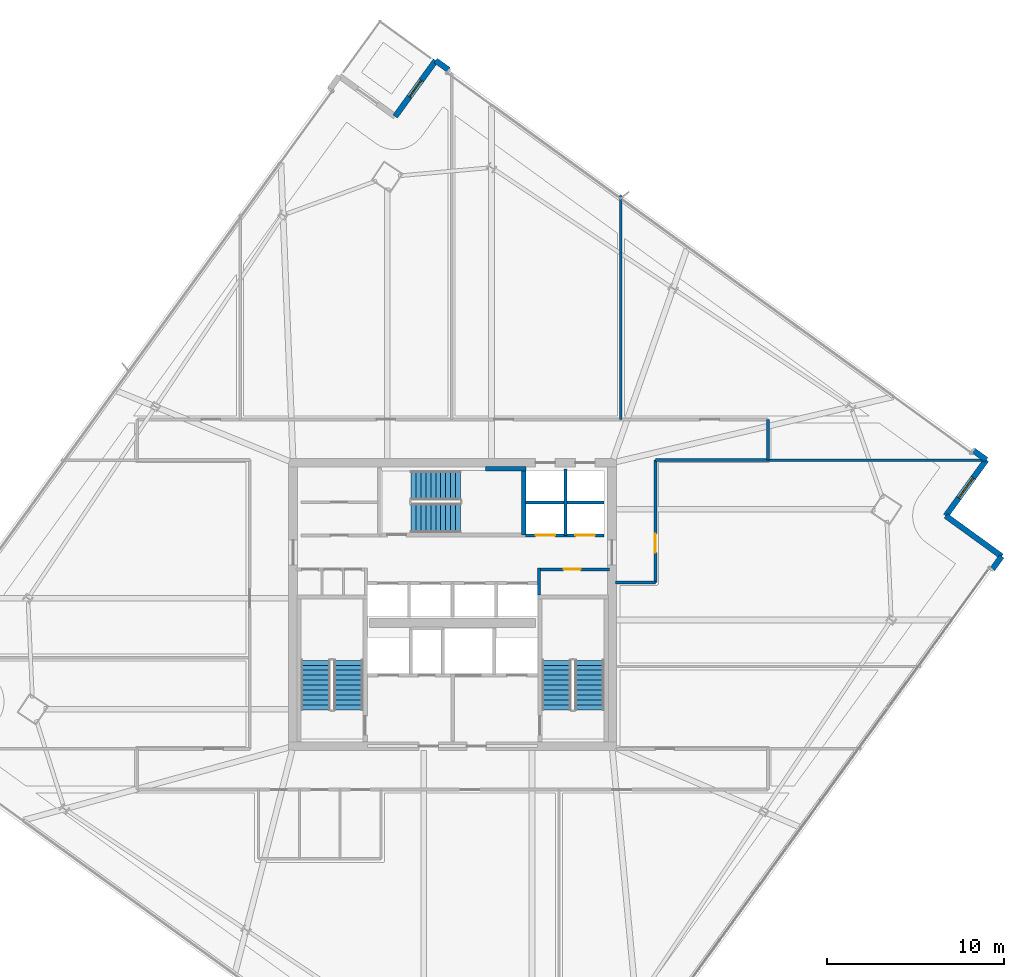
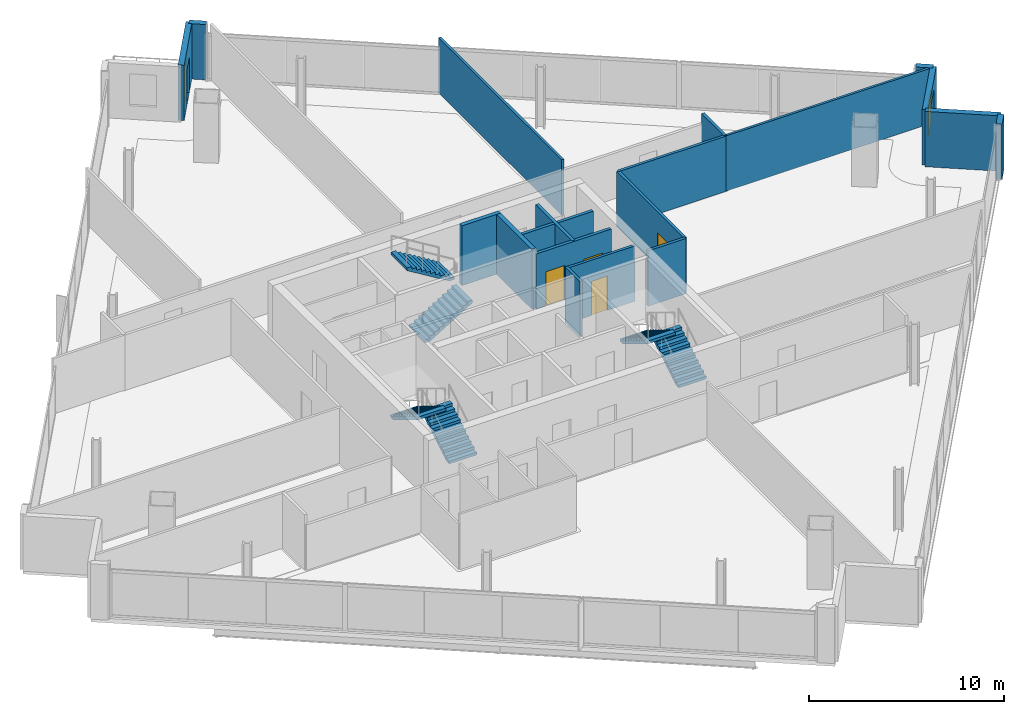
# One storey, part 24 of 29: 19 walls, 6 stair flights, 5 doors, 1 window, 6 openings, 3 elements without a shape of their own.
"""IFC4 building model written with IfcOpenShell, lengths in metres."""

import ifcopenshell
import ifcopenshell.guid

model = None  # the IFC model being written
_history = None  # IfcOwnerHistory: only IFC2X3 demands one
_inside = {}  # id of a spatial element -> (the spatial element, [elements in it])
_under = {}  # id of a project, library or spatial element -> (it, [spatial elements below it])
_declared = {}  # id of a project -> (the project, [libraries it declares])
_typed = {}  # id of a type object -> (the type object, [elements of that type])
_made_of = {}  # id of a material, layer set ... -> (it, [elements and type objects made of it])


def new_model(schema):
    """Start an empty IFC model of exactly this schema.

    Asked for "IFC4X3", IfcOpenShell would pick the latest addendum, in which some entities
    have other attributes; the version numbers below select the first issue.
    IFC2X3 requires an IfcOwnerHistory on every rooted entity: one is made here for all.
    """
    global model, _history
    if schema == "IFC4X3":
        model = ifcopenshell.file(schema_version=(4, 3, 0, 0))
    else:
        model = ifcopenshell.file(schema=schema)
    _inside.clear()
    _under.clear()
    _declared.clear()
    _typed.clear()
    _made_of.clear()
    _history = None
    if model.schema == "IFC2X3":
        org = make("IfcOrganization", Name="unknown")
        user = make(
            "IfcPersonAndOrganization",
            ThePerson=make("IfcPerson", FamilyName="unknown"),
            TheOrganization=org,
        )
        app = make(
            "IfcApplication",
            ApplicationDeveloper=org,
            Version="unknown",
            ApplicationFullName="unknown",
            ApplicationIdentifier="unknown",
        )
        _history = make(
            "IfcOwnerHistory",
            OwningUser=user,
            OwningApplication=app,
            ChangeAction="ADDED",
            CreationDate=0,
        )
    return model


def make(cls, **values):
    """One entity of the class cls with the attributes given. An attribute that is None is left unset."""
    return model.create_entity(
        cls, **{name: value for name, value in values.items() if value is not None}
    )


def rooted(cls, **values):
    """An entity with a GlobalId (a new one), such as an element, a storey or a relation."""
    return make(cls, GlobalId=ifcopenshell.guid.new(), OwnerHistory=_history, **values)


def si_unit(unit_type, name, prefix=None):
    """IfcSIUnit, for example si_unit("LENGTHUNIT", "METRE", prefix="MILLI")."""
    return make("IfcSIUnit", UnitType=unit_type, Prefix=prefix, Name=name)


def assignment(units):
    """IfcUnitAssignment: the units of a project."""
    return None if units is None else make("IfcUnitAssignment", Units=units)


def point(xyz):
    """IfcCartesianPoint."""
    return None if xyz is None else make("IfcCartesianPoint", Coordinates=xyz)


def direction(xyz):
    """IfcDirection."""
    return None if xyz is None else make("IfcDirection", DirectionRatios=xyz)


def frame(location, z_axis=None, x_axis=None):
    """IfcAxis2Placement3D, a coordinate frame: its origin and axes. An axis left out is left unset."""
    return make(
        "IfcAxis2Placement3D",
        Location=point(location),
        Axis=direction(z_axis),
        RefDirection=direction(x_axis),
    )


def frame_2d(location, x_axis=None):
    """IfcAxis2Placement2D, a coordinate frame in the plane: its origin and x axis."""
    return make(
        "IfcAxis2Placement2D", Location=point(location), RefDirection=direction(x_axis)
    )


def origin():
    """The frame at (0, 0, 0) with its axes left unset."""
    return frame((0.0, 0.0, 0.0))


def place(relative_to, where):
    """IfcLocalPlacement: puts the frame where relative to a parent placement (None: the world)."""
    return make(
        "IfcLocalPlacement", PlacementRelTo=relative_to, RelativePlacement=where
    )


def context(
    kind, dimensions, precision=None, world=None, true_north=None, identifier=None
):
    """IfcGeometricRepresentationContext, for example the 3D "Model" context."""
    return make(
        "IfcGeometricRepresentationContext",
        ContextIdentifier=identifier,
        ContextType=kind,
        CoordinateSpaceDimension=dimensions,
        Precision=precision,
        WorldCoordinateSystem=world,
        TrueNorth=true_north,
    )


def subcontext(parent, identifier, kind, view, scale=None):
    """IfcGeometricRepresentationSubContext, for example "Body" below "Model"."""
    return make(
        "IfcGeometricRepresentationSubContext",
        ContextIdentifier=identifier,
        ContextType=kind,
        ParentContext=parent,
        TargetScale=scale,
        TargetView=view,
    )


def project(units=None, contexts=None):
    """IfcProject with its units and contexts."""
    return rooted(
        "IfcProject",
        Name="project",
        RepresentationContexts=contexts,
        UnitsInContext=assignment(units),
    )


def spatial(cls, under=None, at=None, **own):
    """A site, building, storey or space (cls), placed at a placement, below another one or the project."""
    s = rooted(cls, ObjectPlacement=at, **own)
    if under is not None:
        _under.setdefault(under.id(), (under, []))[1].append(s)
    return s


def polyline(points):
    """IfcPolyline through the points."""
    return make("IfcPolyline", Points=[point(p) for p in points])


def profile(cls, at=None, kind="AREA", **sizes):
    """A parametric profile (cls). Its sizes go by their IFC names, for example OverallWidth=200.0."""
    return make(cls, ProfileType=kind, Position=at, **sizes)


def rectangle(**sizes):
    """IfcRectangleProfileDef."""
    return profile("IfcRectangleProfileDef", **sizes)


def outline(outer, holes=None, kind="AREA"):
    """IfcArbitraryClosedProfileDef: a profile drawn as a closed curve; with holes, ...WithVoids."""
    if holes is None:
        return make("IfcArbitraryClosedProfileDef", ProfileType=kind, OuterCurve=outer)
    return make(
        "IfcArbitraryProfileDefWithVoids",
        ProfileType=kind,
        OuterCurve=outer,
        InnerCurves=holes,
    )


def extrude(swept, where, along, depth):
    """IfcExtrudedAreaSolid: the profile swept, set in the frame where, extruded along a direction by depth."""
    return make(
        "IfcExtrudedAreaSolid",
        SweptArea=swept,
        Position=where,
        ExtrudedDirection=direction(along),
        Depth=depth,
    )


def shape(context_of_items, identifier, shape_type, items):
    """IfcShapeRepresentation: the items that make up one representation, for example the "Body"."""
    return make(
        "IfcShapeRepresentation",
        ContextOfItems=context_of_items,
        RepresentationIdentifier=identifier,
        RepresentationType=shape_type,
        Items=items,
    )


def material(Name=None, Category=None):
    """IfcMaterial."""
    return make("IfcMaterial", Name=Name, Category=Category)


def layer(
    of_material, thickness, ventilated=None, Name=None, Category=None, Priority=None
):
    """IfcMaterialLayer: one layer of a wall or slab, of a material (None: an air gap)."""
    return make(
        "IfcMaterialLayer",
        Material=of_material,
        LayerThickness=thickness,
        IsVentilated=ventilated,
        Name=Name,
        Category=Category,
        Priority=Priority,
    )


def layer_set(layers, Name=None):
    """IfcMaterialLayerSet."""
    return make("IfcMaterialLayerSet", MaterialLayers=layers, LayerSetName=Name)


def made_of(thing, what):
    """Note that an element or type object is made of a material, layer set ...; save() writes the relation."""
    if what is not None:
        _made_of.setdefault(what.id(), (what, []))[1].append(thing)
    return thing


def type_object(cls, material=None, **own):
    """A type object (cls), such as IfcWallType, which elements share."""
    return made_of(rooted(cls, **own), material)


def element(
    cls,
    number,
    at=None,
    inside=None,
    cuts=None,
    type_object=None,
    material=None,
    context=None,
    identifier="Body",
    shape_type=None,
    held_by="IfcProductDefinitionShape",
    body=None,
    shapes=None,
    **own,
):
    """One element of the class cls, such as IfcWall. Its Tag is "e" and its number.

    at: its placement. inside: the storey or other place that contains it. cuts: it is an
    opening in that element (IfcRelVoidsElement). A single representation is given by context,
    identifier, shape_type and body (its items); several are given by shapes. held_by: the class
    of the entity that holds the representations. save() writes the other relations.
    """
    e = rooted(cls, Tag="e%d" % number, ObjectPlacement=at, **own)
    if body is not None:
        shapes = [shape(context, identifier, shape_type, body)]
    if shapes is not None:
        e.Representation = make(held_by, Representations=shapes)
    if inside is not None:
        _inside.setdefault(inside.id(), (inside, []))[1].append(e)
    if cuts is not None:
        rooted(
            "IfcRelVoidsElement", RelatingBuildingElement=cuts, RelatedOpeningElement=e
        )
    if type_object is not None:
        _typed.setdefault(type_object.id(), (type_object, []))[1].append(e)
    return made_of(e, material)


def fill(opening, filler):
    """IfcRelFillsElement: the door or window that sits in an opening."""
    return rooted(
        "IfcRelFillsElement",
        RelatingOpeningElement=opening,
        RelatedBuildingElement=filler,
    )


def aggregate(whole, parts):
    """IfcRelAggregates: a whole, such as a stair, and the parts it consists of."""
    return rooted("IfcRelAggregates", RelatingObject=whole, RelatedObjects=parts)


def save(model, path):
    """Write the relations noted so far, then the file.

    IfcRelAggregates (storeys below a building ...), IfcRelContainedInSpatialStructure (elements
    in a storey), IfcRelDefinesByType, IfcRelAssociatesMaterial and IfcRelDeclares: one each for
    every whole, place, type object, material and project.
    """
    for whole, parts in _under.values():
        aggregate(whole, parts)
    for where, things in _inside.values():
        rooted(
            "IfcRelContainedInSpatialStructure",
            RelatedElements=things,
            RelatingStructure=where,
        )
    for kind, things in _typed.values():
        rooted("IfcRelDefinesByType", RelatedObjects=things, RelatingType=kind)
    for what, things in _made_of.values():
        rooted("IfcRelAssociatesMaterial", RelatedObjects=things, RelatingMaterial=what)
    for by, libraries in _declared.values():
        rooted("IfcRelDeclares", RelatingContext=by, RelatedDefinitions=libraries)
    model.write(path)


model = new_model("IFC4")

# Units and contexts
model_context = context("Model", 3, precision=1e-05, world=origin(), true_north=direction((0.0, 1.0)))
body_context = subcontext(model_context, "Body", "Model", "MODEL_VIEW")
ifc_project = project(units=[si_unit("LENGTHUNIT", "METRE"), si_unit("AREAUNIT", "SQUARE_METRE"), si_unit("VOLUMEUNIT", "CUBIC_METRE"), si_unit("PLANEANGLEUNIT", "RADIAN"), si_unit("MASSUNIT", "GRAM", prefix="KILO")], contexts=[model_context])

# Site, building, storey
site_placement = place(None, origin())
site = spatial("IfcSite", under=ifc_project, at=site_placement, CompositionType="ELEMENT")
building_placement = place(site_placement, origin())
building = spatial("IfcBuilding", under=site, at=building_placement, Name="Haldenkirk Collegiate Tower", CompositionType="ELEMENT")
storey_placement = place(building_placement, frame((0.0, 0.0, 209.699951171875)))
storey = spatial("IfcBuildingStorey", under=building, at=storey_placement, Name="L52", CompositionType="ELEMENT", Elevation=209.699951171875)

# Walls
ifc_material_1 = material(Name="Precast concrete f'c 40 MPa", Category="concrete")
ifc_layer_1 = layer(ifc_material_1, 0.320068359375)
ifc_layer_set_1 = layer_set([ifc_layer_1], Name="Precast concrete f'c 40 MPa")
wall_type_1 = type_object("IfcWallType", Name="WL-EXT-TWR-320", PredefinedType="STANDARD", material=ifc_layer_set_1)
wall_1_placement = place(storey_placement, frame((67.00048828125, 28.718017578125, 0.0), z_axis=(0.0, 0.0, 1.0), x_axis=(-0.587252006748, -0.809404151565, 0.0)))
element("IfcWall", 1, at=wall_1_placement, inside=storey, type_object=wall_type_1, Name="L52 precast corner pier SL", PredefinedType="STANDARD", context=body_context, shape_type="SweptSolid", body=[
    extrude(rectangle(XDim=0.900146484375, YDim=0.320068359375, at=frame_2d((0.4501953125, 0.0))), origin(), (0.0, 0.0, 1.0), 3.469970703125),
])
wall_2_placement = place(storey_placement, frame((63.84326171875, 31.0078125, 0.0), z_axis=(0.0, 0.0, 1.0), x_axis=(0.809512265893, -0.587102964878, 0.0)))
element("IfcWall", 2, at=wall_2_placement, inside=storey, type_object=wall_type_1, Name="L52 bronze precast notch wall 02", PredefinedType="STANDARD", context=body_context, shape_type="SweptSolid", body=[
    extrude(rectangle(XDim=3.900146484375, YDim=0.320068359375, at=frame_2d((1.9501953125, 0.0))), origin(), (0.0, 0.0, 1.0), 3.469970703125),
])

# Wall, opening, window
wall_3_placement = place(storey_placement, frame((66.1328125, 34.164794921875, 0.0), z_axis=(0.0, 0.0, 1.0), x_axis=(-0.587091693571, -0.809520440347, 0.0)))
wall_3 = element("IfcWall", 3, at=wall_3_placement, inside=storey, type_object=wall_type_1, Name="L52 bronze precast notch wall 03", PredefinedType="STANDARD", context=body_context, shape_type="SweptSolid", body=[
    extrude(rectangle(XDim=3.89990234375, YDim=0.320068359375, at=frame_2d((1.949951171875, 0.0))), origin(), (0.0, 0.0, 1.0), 3.469970703125),
])
opening_1_placement = place(wall_3_placement, frame((1.25, 0.0, 0.85009765625)))
opening_1 = element("IfcOpeningElement", 4, at=opening_1_placement, cuts=wall_3, Name="Opening W-06", PredefinedType="OPENING", context=body_context, shape_type="SweptSolid", body=[
    extrude(rectangle(XDim=1.39990234375, YDim=2.0, at=frame_2d((0.699951171875, 1.0))), frame((0.0, 0.169921875, 0.0), z_axis=(0.0, -1.0, 0.0), x_axis=(1.0, 0.0, 0.0)), (0.0, 0.0, 1.0), 0.340087890625),
])
ifc_material_2 = material(Name="Low-E argon triple insulating glass", Category="glass")
ifc_layer_2 = layer(ifc_material_2, 0.090087890625)
ifc_layer_set_2 = layer_set([ifc_layer_2], Name="Low-E argon triple insulating glass")
window_type = type_object("IfcWindowType", Name="WN-Z4-1400X2000", PartitioningType="SINGLE_PANEL", PredefinedType="WINDOW", material=ifc_layer_set_2)
window_placement = place(opening_1_placement, origin())
window = element("IfcWindow", 5, at=window_placement, inside=storey, type_object=window_type, Name="L52 precast-frame academic window 2", OverallHeight=2.0, OverallWidth=1.39990234375, PartitioningType="SINGLE_PANEL", PredefinedType="WINDOW", context=body_context, shape_type="SweptSolid", body=[
    extrude(rectangle(XDim=1.39990234375, YDim=2.0, at=frame_2d((0.699951171875, 1.0))), frame((0.0, 0.030029296875, 0.0), z_axis=(0.0, -1.0, 0.0), x_axis=(1.0, 0.0, 0.0)), (0.0, 0.0, 1.0), 0.06005859375),
])
fill(opening_1, window)

# Walls
for number, where, z_axis, x_axis, name in (
    (6, (35.046875, 56.708740234375, 0.0), (0.0, 0.0, 1.0), (0.80953308335, -0.587074260177, 0.0), "L52 precast corner pier EL"),
    (7, (65.404296875, 34.693115234375, 0.0), (0.0, 0.0, 1.0), (0.80953308335, -0.587074260177, 0.0), "L52 precast corner pier ER"),
):
    element("IfcWall", number, at=place(storey_placement, frame(where, z_axis=z_axis, x_axis=x_axis)), inside=storey, type_object=wall_type_1, Name=name, PredefinedType="STANDARD", context=body_context, shape_type="SweptSolid", body=[
        extrude(rectangle(XDim=0.89990234375, YDim=0.320068359375, at=frame_2d((0.449951171875, 0.0))), origin(), (0.0, 0.0, 1.0), 3.469970703125),
    ])

# Wall, opening, door
wall_4_placement = place(storey_placement, frame((32.75732421875, 53.551513671875, 0.0), z_axis=(0.0, 0.0, 1.0), x_axis=(0.587061941772, 0.809542016527, 0.0)))
wall_4 = element("IfcWall", 8, at=wall_4_placement, inside=storey, type_object=wall_type_1, Name="L52 bronze precast notch wall 05", PredefinedType="STANDARD", context=body_context, shape_type="SweptSolid", body=[
    extrude(rectangle(XDim=3.89990234375, YDim=0.320068359375, at=frame_2d((1.949951171875, 0.0))), origin(), (0.0, 0.0, 1.0), 3.469970703125),
])
opening_2_placement = place(wall_4_placement, frame((1.375, 0.0, 0.0)))
opening_2 = element("IfcOpeningElement", 9, at=opening_2_placement, cuts=wall_4, Name="Opening D-ST11", PredefinedType="OPENING", context=body_context, shape_type="SweptSolid", body=[
    extrude(rectangle(XDim=1.14990234375, YDim=2.199951171875, at=frame_2d((0.574951171875, 1.10009765625))), frame((0.0, 0.169921875, 0.0), z_axis=(0.0, -1.0, 0.0), x_axis=(1.0, 0.0, 0.0)), (0.0, 0.0, 1.0), 0.340087890625),
])
ifc_material_3 = material(Name="Anodised architectural bronze aluminium", Category="aluminium")
ifc_layer_3 = layer(ifc_material_3, 0.080078125)
ifc_layer_set_3 = layer_set([ifc_layer_3], Name="Anodised architectural bronze aluminium")
door_type_1 = type_object("IfcDoorType", Name="DR-EXT-STER-1150", OperationType="NOTDEFINED", PredefinedType="DOOR", material=ifc_layer_set_3)
door_1_placement = place(opening_2_placement, origin())
door_1 = element("IfcDoor", 10, at=door_1_placement, inside=storey, type_object=door_type_1, Name="L52 spiralling terrace door", OperationType="SINGLE_SWING_LEFT", OverallHeight=2.199951171875, OverallWidth=1.14990234375, PredefinedType="DOOR", context=body_context, shape_type="SweptSolid", body=[
    extrude(rectangle(XDim=1.14990234375, YDim=2.199951171875, at=frame_2d((0.574951171875, 1.10009765625))), frame((0.0, 0.02490234375, 0.0), z_axis=(0.0, -1.0, 0.0), x_axis=(1.0, 0.0, 0.0)), (0.0, 0.0, 1.0), 0.050048828125),
])
fill(opening_2, door_1)

ifc_material_4 = material(Name="Acoustic fire-rated gypsum partition", Category="concrete")
ifc_layer_4 = layer(ifc_material_4, 0.159912109375)
ifc_layer_set_4 = layer_set([ifc_layer_4], Name="Acoustic fire-rated gypsum partition")
wall_type_2 = type_object("IfcWallType", Name="WL-INT-CORR-160", PredefinedType="PARTITIONING", material=ifc_layer_set_4)
wall_5_placement = place(storey_placement, frame((40.800048828125, 27.97998046875, 0.0), z_axis=(0.0, 0.0, 1.0), x_axis=(1.0, 0.0, 0.0)))
wall_5 = element("IfcWall", 11, at=wall_5_placement, inside=storey, type_object=wall_type_2, Name="L52 interior partition IW-L52-VCSE-N", PredefinedType="PARTITIONING", context=body_context, shape_type="SweptSolid", body=[
    extrude(rectangle(XDim=4.050048828125, YDim=0.159912109375, at=frame_2d((2.02490234375, 0.0))), origin(), (0.0, 0.0, 1.0), 3.469970703125),
])
opening_3_placement = place(wall_5_placement, frame((1.47509765625, 0.0, 0.0)))
opening_3 = element("IfcOpeningElement", 12, at=opening_3_placement, cuts=wall_5, Name="Opening D-10", PredefinedType="OPENING", context=body_context, shape_type="SweptSolid", body=[
    extrude(rectangle(XDim=0.949951171875, YDim=2.14990234375, at=frame_2d((0.47509765625, 1.074951171875))), frame((0.0, 0.08984375, 0.0), z_axis=(0.0, -1.0, 0.0), x_axis=(1.0, 0.0, 0.0)), (0.0, 0.0, 1.0), 0.179931640625),
])
ifc_material_5 = material(Name="Solid-core architectural oak fire door", Category="wood")
ifc_layer_5 = layer(ifc_material_5, 0.06005859375)
ifc_layer_set_5 = layer_set([ifc_layer_5], Name="Solid-core architectural oak fire door")
door_type_2 = type_object("IfcDoorType", Name="DR-INT-FD60-950", OperationType="NOTDEFINED", PredefinedType="DOOR", material=ifc_layer_set_5)
door_2_placement = place(opening_3_placement, origin())
door_2 = element("IfcDoor", 13, at=door_2_placement, inside=storey, type_object=door_type_2, Name="L52 core archive vault door", OperationType="SINGLE_SWING_RIGHT", OverallHeight=2.14990234375, OverallWidth=0.949951171875, PredefinedType="DOOR", context=body_context, shape_type="SweptSolid", body=[
    extrude(rectangle(XDim=0.949951171875, YDim=2.14990234375, at=frame_2d((0.47509765625, 1.074951171875))), frame((0.0, 0.02490234375, 0.0), z_axis=(0.0, -1.0, 0.0), x_axis=(1.0, 0.0, 0.0)), (0.0, 0.0, 1.0), 0.050048828125),
])
fill(opening_3, door_2)

# Walls
wall_6_placement = place(storey_placement, frame((40.8798828125, 26.5400390625, 0.0), z_axis=(0.0, 0.0, 1.0), x_axis=(0.0, 1.0, 0.0)))
element("IfcWall", 14, at=wall_6_placement, inside=storey, type_object=wall_type_2, Name="L52 interior partition IW-L52-VCSE-W", PredefinedType="PARTITIONING", context=body_context, shape_type="SweptSolid", body=[
    extrude(rectangle(XDim=1.510009765625, YDim=0.159912109375, at=frame_2d((0.7548828125, 0.0))), origin(), (0.0, 0.0, 1.0), 3.469970703125),
])
wall_7_placement = place(storey_placement, frame((47.449951171875, 34.14990234375, 0.0), z_axis=(0.0, 0.0, 1.0), x_axis=(1.0, 0.0, 0.0)))
element("IfcWall", 15, at=wall_7_placement, inside=storey, type_object=wall_type_2, Name="L52 interior partition IW-L52-CNE", PredefinedType="PARTITIONING", context=body_context, shape_type="SweptSolid", body=[
    extrude(rectangle(XDim=6.35009765625, YDim=0.159912109375, at=frame_2d((3.175048828125, 0.0))), origin(), (0.0, 0.0, 1.0), 3.469970703125),
])

# Wall, opening, door
wall_8_placement = place(storey_placement, frame((47.449951171875, 27.25, 0.0), z_axis=(0.0, 0.0, 1.0), x_axis=(0.0, 1.0, 0.0)))
wall_8 = element("IfcWall", 16, at=wall_8_placement, inside=storey, type_object=wall_type_2, Name="L52 interior partition IW-L52-CE", PredefinedType="PARTITIONING", context=body_context, shape_type="SweptSolid", body=[
    extrude(rectangle(XDim=6.89990234375, YDim=0.159912109375, at=frame_2d((3.449951171875, 0.0))), origin(), (0.0, 0.0, 1.0), 3.469970703125),
])
opening_4_placement = place(wall_8_placement, frame((1.68310546875, 0.0, 0.0)))
opening_4 = element("IfcOpeningElement", 17, at=opening_4_placement, cuts=wall_8, Name="Opening D-09", PredefinedType="OPENING", context=body_context, shape_type="SweptSolid", body=[
    extrude(rectangle(XDim=1.050048828125, YDim=2.14990234375, at=frame_2d((0.52490234375, 1.074951171875))), frame((0.0, 0.08984375, 0.0), z_axis=(0.0, -1.0, 0.0), x_axis=(1.0, 0.0, 0.0)), (0.0, 0.0, 1.0), 0.179931640625),
])
ifc_layer_6 = layer(ifc_material_5, 0.06005859375)
ifc_layer_set_6 = layer_set([ifc_layer_6], Name="Solid-core architectural oak fire door")
door_type_3 = type_object("IfcDoorType", Name="DR-INT-FD60-1050", OperationType="NOTDEFINED", PredefinedType="DOOR", material=ifc_layer_set_6)
door_3_placement = place(opening_4_placement, origin())
door_3 = element("IfcDoor", 18, at=door_3_placement, inside=storey, type_object=door_type_3, Name="L52 Student Reading Lounge 10 door", OperationType="SINGLE_SWING_LEFT", OverallHeight=2.14990234375, OverallWidth=1.050048828125, PredefinedType="DOOR", context=body_context, shape_type="SweptSolid", body=[
    extrude(rectangle(XDim=1.050048828125, YDim=2.14990234375, at=frame_2d((0.52490234375, 1.074951171875))), frame((0.0, 0.02490234375, 0.0), z_axis=(0.0, -1.0, 0.0), x_axis=(1.0, 0.0, 0.0)), (0.0, 0.0, 1.0), 0.050048828125),
])
fill(opening_4, door_3)

# Walls
wall_9_placement = place(storey_placement, frame((45.199951171875, 27.25, 0.0), z_axis=(0.0, 0.0, 1.0), x_axis=(1.0, 0.0, 0.0)))
element("IfcWall", 19, at=wall_9_placement, inside=storey, type_object=wall_type_2, Name="L52 interior partition IW-L52-CES", PredefinedType="PARTITIONING", context=body_context, shape_type="SweptSolid", body=[
    extrude(rectangle(XDim=2.25, YDim=0.159912109375, at=frame_2d((1.125, 0.0))), origin(), (0.0, 0.0, 1.0), 3.469970703125),
])
wall_10_placement = place(storey_placement, frame((53.800048828125, 34.14990234375, 0.0), z_axis=(0.0, 0.0, 1.0), x_axis=(0.0, 1.0, 0.0)))
element("IfcWall", 20, at=wall_10_placement, inside=storey, type_object=wall_type_2, Name="L52 interior partition IW-L52-CNR", PredefinedType="PARTITIONING", context=body_context, shape_type="SweptSolid", body=[
    extrude(rectangle(XDim=2.300048828125, YDim=0.159912109375, at=frame_2d((1.14990234375, 0.0))), origin(), (0.0, 0.0, 1.0), 3.469970703125),
])
ifc_layer_7 = layer(ifc_material_4, 0.139892578125)
ifc_layer_set_7 = layer_set([ifc_layer_7], Name="Acoustic fire-rated gypsum partition")
wall_type_3 = type_object("IfcWallType", Name="WL-INT-DIV-140", PredefinedType="PARTITIONING", material=ifc_layer_set_7)
wall_11_placement = place(storey_placement, frame((53.800048828125, 34.14990234375, 0.0), z_axis=(0.0, 0.0, 1.0), x_axis=(1.0, 0.0, 0.0)))
element("IfcWall", 21, at=wall_11_placement, inside=storey, type_object=wall_type_3, Name="L52 interior partition IW-L52-BEN", PredefinedType="PARTITIONING", context=body_context, shape_type="SweptSolid", body=[
    extrude(rectangle(XDim=12.272705078125, YDim=0.139892578125, at=frame_2d((6.13623046875, 0.0))), origin(), (0.0, 0.0, 1.0), 3.469970703125),
])
wall_12_placement = place(storey_placement, frame((45.5, 36.449951171875, 0.0), z_axis=(0.0, 0.0, 1.0), x_axis=(0.0, 1.0, 0.0)))
element("IfcWall", 22, at=wall_12_placement, inside=storey, type_object=wall_type_3, Name="L52 interior partition IW-L52-RN3", PredefinedType="PARTITIONING", context=body_context, shape_type="SweptSolid", body=[
    extrude(rectangle(XDim=12.628662109375, YDim=0.139892578125, at=frame_2d((6.314453125, 0.0))), origin(), (0.0, 0.0, 1.0), 3.469970703125),
])

# Wall, openings, doors
ifc_material_6 = material(Name="Fire-rated gypsum shaftboard assembly", Category="concrete")
ifc_layer_8 = layer(ifc_material_6, 0.179931640625)
ifc_layer_set_8 = layer_set([ifc_layer_8], Name="Fire-rated gypsum shaftboard assembly")
wall_type_4 = type_object("IfcWallType", Name="WL-INT-SHAFT-180", PredefinedType="PARTITIONING", material=ifc_layer_set_8)
wall_13_placement = place(storey_placement, frame((40.1201171875, 29.89990234375, 0.0), z_axis=(0.0, 0.0, 1.0), x_axis=(1.0, 0.0, 0.0)))
wall_13 = element("IfcWall", 23, at=wall_13_placement, inside=storey, type_object=wall_type_4, Name="L52 interior partition IW-L52-PMS", PredefinedType="PARTITIONING", context=body_context, shape_type="SweptSolid", body=[
    extrude(rectangle(XDim=4.429931640625, YDim=0.179931640625, at=frame_2d((2.21484375, 0.0))), origin(), (0.0, 0.0, 1.0), 3.469970703125),
])
opening_5_placement = place(wall_13_placement, frame((0.56494140625, 0.0, 0.0)))
opening_5 = element("IfcOpeningElement", 24, at=opening_5_placement, cuts=wall_13, Name="Opening LD-11", PredefinedType="OPENING", context=body_context, shape_type="SweptSolid", body=[
    extrude(rectangle(XDim=1.10009765625, YDim=2.14990234375, at=frame_2d((0.550048828125, 1.074951171875))), frame((0.0, 0.099853515625, 0.0), z_axis=(0.0, -1.0, 0.0), x_axis=(1.0, 0.0, 0.0)), (0.0, 0.0, 1.0), 0.199951171875),
])
opening_6_placement = place(wall_13_placement, frame((2.81494140625, 0.0, 0.0)))
opening_6 = element("IfcOpeningElement", 25, at=opening_6_placement, cuts=wall_13, Name="Opening LD-11", PredefinedType="OPENING", context=body_context, shape_type="SweptSolid", body=[
    extrude(rectangle(XDim=1.10009765625, YDim=2.14990234375, at=frame_2d((0.550048828125, 1.074951171875))), frame((0.0, 0.099853515625, 0.0), z_axis=(0.0, -1.0, 0.0), x_axis=(1.0, 0.0, 0.0)), (0.0, 0.0, 1.0), 0.199951171875),
])
ifc_material_7 = material(Name="Brushed architectural stainless steel", Category="steel")
ifc_layer_9 = layer(ifc_material_7, 0.06005859375)
ifc_layer_set_9 = layer_set([ifc_layer_9], Name="Brushed architectural stainless steel")
door_type_4 = type_object("IfcDoorType", Name="LD-PASS-1100", OperationType="NOTDEFINED", PredefinedType="DOOR", material=ifc_layer_set_9)
door_4_placement = place(opening_5_placement, origin())
door_4 = element("IfcDoor", 26, at=door_4_placement, inside=storey, type_object=door_type_4, Name="L52 Elevator PM1 sliding landing door", OperationType="SLIDING_TO_LEFT", OverallHeight=2.14990234375, OverallWidth=1.10009765625, PredefinedType="DOOR", context=body_context, shape_type="SweptSolid", body=[
    extrude(rectangle(XDim=1.10009765625, YDim=2.14990234375, at=frame_2d((0.550048828125, 1.074951171875))), frame((0.0, 0.02490234375, 0.0), z_axis=(0.0, -1.0, 0.0), x_axis=(1.0, 0.0, 0.0)), (0.0, 0.0, 1.0), 0.050048828125),
])
fill(opening_5, door_4)
door_5_placement = place(opening_6_placement, origin())
door_5 = element("IfcDoor", 27, at=door_5_placement, inside=storey, type_object=door_type_4, Name="L52 Elevator PM2 sliding landing door", OperationType="SLIDING_TO_LEFT", OverallHeight=2.14990234375, OverallWidth=1.10009765625, PredefinedType="DOOR", context=body_context, shape_type="SweptSolid", body=[
    extrude(rectangle(XDim=1.10009765625, YDim=2.14990234375, at=frame_2d((0.550048828125, 1.074951171875))), frame((0.0, 0.02490234375, 0.0), z_axis=(0.0, -1.0, 0.0), x_axis=(1.0, 0.0, 0.0)), (0.0, 0.0, 1.0), 0.050048828125),
])
fill(opening_6, door_5)

# Walls
wall_14_placement = place(storey_placement, frame((40.1201171875, 31.75, 0.0), z_axis=(0.0, 0.0, 1.0), x_axis=(1.0, 0.0, 0.0)))
element("IfcWall", 28, at=wall_14_placement, inside=storey, type_object=wall_type_4, Name="L52 interior partition IW-L52-PMM", PredefinedType="PARTITIONING", context=body_context, shape_type="SweptSolid", body=[
    extrude(rectangle(XDim=4.429931640625, YDim=0.179931640625, at=frame_2d((2.21484375, 0.0))), origin(), (0.0, 0.0, 1.0), 3.469970703125),
])
wall_15_placement = place(storey_placement, frame((42.3701171875, 29.89990234375, 0.0), z_axis=(0.0, 0.0, 1.0), x_axis=(0.0, 1.0, 0.0)))
element("IfcWall", 29, at=wall_15_placement, inside=storey, type_object=wall_type_4, Name="L52 interior partition IW-L52-PMV", PredefinedType="PARTITIONING", context=body_context, shape_type="SweptSolid", body=[
    extrude(rectangle(XDim=3.75, YDim=0.179931640625, at=frame_2d((1.875, 0.0))), origin(), (0.0, 0.0, 1.0), 3.469970703125),
])
ifc_material_8 = material(Name="Concrete f'c 55 MPa", Category="concrete")
ifc_layer_10 = layer(ifc_material_8, 0.239990234375)
ifc_layer_set_10 = layer_set([ifc_layer_10], Name="Concrete f'c 55 MPa")
wall_type_5 = type_object("IfcWallType", Name="WL-SHAFT-240", PredefinedType="SHEAR", material=ifc_layer_set_10)
wall_16_placement = place(storey_placement, frame((40.02001953125, 29.929931640625, 0.0), z_axis=(0.0, 0.0, 1.0), x_axis=(0.0, 1.0, 0.0)))
element("IfcWall", 30, at=wall_16_placement, inside=storey, type_object=wall_type_5, Name="L52 stair shaft shear wall SW-L52-ST3E", PredefinedType="SHEAR", context=body_context, shape_type="SweptSolid", body=[
    extrude(rectangle(XDim=3.85009765625, YDim=0.239990234375, at=frame_2d((1.925048828125, 0.0))), origin(), (0.0, 0.0, 1.0), 3.75),
])
wall_17_placement = place(storey_placement, frame((37.85009765625, 33.659912109375, 0.0), z_axis=(0.0, 0.0, 1.0), x_axis=(1.0, 0.0, 0.0)))
element("IfcWall", 31, at=wall_17_placement, inside=storey, type_object=wall_type_5, Name="L52 stair shaft shear wall SW-L52-ST3N", PredefinedType="SHEAR", context=body_context, shape_type="SweptSolid", body=[
    extrude(rectangle(XDim=2.289794921875, YDim=0.239990234375, at=frame_2d((1.14501953125, 0.0))), origin(), (0.0, 0.0, 1.0), 3.75),
])

# Stair, stair flights
ifc_material_9 = material(Name="Concrete f'c 40 MPa", Category="concrete")
stair_type = type_object("IfcStairType", Name="STR-DOGLEG-1650", PredefinedType="HALF_TURN_STAIR", material=ifc_material_9)
stair_1_placement = place(storey_placement, origin())
stair_1 = element("IfcStair", 32, at=stair_1_placement, inside=storey, type_object=stair_type, Name="L52 Core Exit Stair ST-1", PredefinedType="HALF_TURN_STAIR")
stair_flight_type = type_object("IfcStairFlightType", Name="STF-FLIGHT-1650", PredefinedType="STRAIGHT", material=ifc_material_9)
stair_flight_1_placement = place(storey_placement, frame((30.125, 20.050048828125, 0.0), z_axis=(0.0, 0.0, 1.0), x_axis=(0.0, 1.0, 0.0)))
stair_flight_1 = element("IfcStairFlight", 33, at=stair_flight_1_placement, type_object=stair_flight_type, Name="ST-1 flight 1", NumberOfRisers=11, NumberOfTreads=10, PredefinedType="STRAIGHT", RiserHeight=0.170454545, TreadLength=0.28, context=body_context, shape_type="SweptSolid", body=[
    extrude(outline(polyline([(0.0, 0.0), (0.0, 0.17041015625), (0.280029296875, 0.17041015625), (0.280029296875, 0.3408203125), (0.56005859375, 0.3408203125), (0.56005859375, 0.511474609375), (0.840087890625, 0.511474609375), (0.840087890625, 0.681884765625), (1.1201171875, 0.681884765625), (1.1201171875, 0.852294921875), (1.39990234375, 0.852294921875), (1.39990234375, 1.022705078125), (1.679931640625, 1.022705078125), (1.679931640625, 1.193115234375), (1.9599609375, 1.193115234375), (1.9599609375, 1.363525390625), (2.239990234375, 1.363525390625), (2.239990234375, 1.5341796875), (2.52001953125, 1.5341796875), (2.52001953125, 1.70458984375), (2.800048828125, 1.70458984375), (2.800048828125, 1.875), (2.800048828125, 1.529052734375), (0.288330078125, 0.0), (0.0, 0.0)])), frame((0.0, 0.824951171875, 0.0), z_axis=(0.0, -1.0, 0.0), x_axis=(1.0, 0.0, 0.0)), (0.0, 0.0, 1.0), 1.64990234375),
])
stair_flight_2_placement = place(storey_placement, frame((28.27490234375, 22.85009765625, 1.875), z_axis=(0.0, 0.0, 1.0), x_axis=(0.0, -1.0, 0.0)))
stair_flight_2 = element("IfcStairFlight", 34, at=stair_flight_2_placement, type_object=stair_flight_type, Name="ST-1 flight 2", NumberOfRisers=11, NumberOfTreads=10, PredefinedType="STRAIGHT", RiserHeight=0.170454545, TreadLength=0.28, context=body_context, shape_type="SweptSolid", body=[
    extrude(outline(polyline([(0.0, 0.0), (0.0, 0.17041015625), (0.280029296875, 0.17041015625), (0.280029296875, 0.3408203125), (0.56005859375, 0.3408203125), (0.56005859375, 0.511474609375), (0.840087890625, 0.511474609375), (0.840087890625, 0.681884765625), (1.1201171875, 0.681884765625), (1.1201171875, 0.852294921875), (1.39990234375, 0.852294921875), (1.39990234375, 1.022705078125), (1.679931640625, 1.022705078125), (1.679931640625, 1.193115234375), (1.9599609375, 1.193115234375), (1.9599609375, 1.363525390625), (2.239990234375, 1.363525390625), (2.239990234375, 1.5341796875), (2.52001953125, 1.5341796875), (2.52001953125, 1.70458984375), (2.800048828125, 1.70458984375), (2.800048828125, 1.875), (2.800048828125, 1.529052734375), (0.288330078125, 0.0), (0.0, 0.0)])), frame((0.0, 0.824951171875, 0.0), z_axis=(0.0, -1.0, 0.0), x_axis=(1.0, 0.0, 0.0)), (0.0, 0.0, 1.0), 1.64990234375),
])
aggregate(stair_1, [stair_flight_1, stair_flight_2])

stair_2_placement = place(storey_placement, origin())
stair_2 = element("IfcStair", 35, at=stair_2_placement, inside=storey, type_object=stair_type, Name="L52 Core Exit Stair ST-2", PredefinedType="HALF_TURN_STAIR")
stair_flight_3_placement = place(storey_placement, frame((43.72509765625, 20.050048828125, 0.0), z_axis=(0.0, 0.0, 1.0), x_axis=(0.0, 1.0, 0.0)))
stair_flight_3 = element("IfcStairFlight", 36, at=stair_flight_3_placement, type_object=stair_flight_type, Name="ST-2 flight 1", NumberOfRisers=11, NumberOfTreads=10, PredefinedType="STRAIGHT", RiserHeight=0.170454545, TreadLength=0.28, context=body_context, shape_type="SweptSolid", body=[
    extrude(outline(polyline([(0.0, 0.0), (0.0, 0.17041015625), (0.280029296875, 0.17041015625), (0.280029296875, 0.3408203125), (0.56005859375, 0.3408203125), (0.56005859375, 0.511474609375), (0.840087890625, 0.511474609375), (0.840087890625, 0.681884765625), (1.1201171875, 0.681884765625), (1.1201171875, 0.852294921875), (1.39990234375, 0.852294921875), (1.39990234375, 1.022705078125), (1.679931640625, 1.022705078125), (1.679931640625, 1.193115234375), (1.9599609375, 1.193115234375), (1.9599609375, 1.363525390625), (2.239990234375, 1.363525390625), (2.239990234375, 1.5341796875), (2.52001953125, 1.5341796875), (2.52001953125, 1.70458984375), (2.800048828125, 1.70458984375), (2.800048828125, 1.875), (2.800048828125, 1.529052734375), (0.288330078125, 0.0), (0.0, 0.0)])), frame((0.0, 0.824951171875, 0.0), z_axis=(0.0, -1.0, 0.0), x_axis=(1.0, 0.0, 0.0)), (0.0, 0.0, 1.0), 1.64990234375),
])
stair_flight_4_placement = place(storey_placement, frame((41.875, 22.85009765625, 1.875), z_axis=(0.0, 0.0, 1.0), x_axis=(0.0, -1.0, 0.0)))
stair_flight_4 = element("IfcStairFlight", 37, at=stair_flight_4_placement, type_object=stair_flight_type, Name="ST-2 flight 2", NumberOfRisers=11, NumberOfTreads=10, PredefinedType="STRAIGHT", RiserHeight=0.170454545, TreadLength=0.28, context=body_context, shape_type="SweptSolid", body=[
    extrude(outline(polyline([(0.0, 0.0), (0.0, 0.17041015625), (0.280029296875, 0.17041015625), (0.280029296875, 0.3408203125), (0.56005859375, 0.3408203125), (0.56005859375, 0.511474609375), (0.840087890625, 0.511474609375), (0.840087890625, 0.681884765625), (1.1201171875, 0.681884765625), (1.1201171875, 0.852294921875), (1.39990234375, 0.852294921875), (1.39990234375, 1.022705078125), (1.679931640625, 1.022705078125), (1.679931640625, 1.193115234375), (1.9599609375, 1.193115234375), (1.9599609375, 1.363525390625), (2.239990234375, 1.363525390625), (2.239990234375, 1.5341796875), (2.52001953125, 1.5341796875), (2.52001953125, 1.70458984375), (2.800048828125, 1.70458984375), (2.800048828125, 1.875), (2.800048828125, 1.529052734375), (0.288330078125, 0.0), (0.0, 0.0)])), frame((0.0, 0.824951171875, 0.0), z_axis=(0.0, -1.0, 0.0), x_axis=(1.0, 0.0, 0.0)), (0.0, 0.0, 1.0), 1.64990234375),
])
aggregate(stair_2, [stair_flight_3, stair_flight_4])

stair_3_placement = place(storey_placement, origin())
stair_3 = element("IfcStair", 38, at=stair_3_placement, inside=storey, type_object=stair_type, Name="L52 Core Exit Stair ST-3", PredefinedType="HALF_TURN_STAIR")
stair_flight_5_placement = place(storey_placement, frame((33.64990234375, 30.875, 0.0), z_axis=(0.0, 0.0, 1.0), x_axis=(1.0, 0.0, 0.0)))
stair_flight_5 = element("IfcStairFlight", 39, at=stair_flight_5_placement, type_object=stair_flight_type, Name="ST-3 flight 1", NumberOfRisers=11, NumberOfTreads=10, PredefinedType="STRAIGHT", RiserHeight=0.170454545, TreadLength=0.28, context=body_context, shape_type="SweptSolid", body=[
    extrude(outline(polyline([(0.0, 0.0), (0.0, 0.17041015625), (0.280029296875, 0.17041015625), (0.280029296875, 0.3408203125), (0.56005859375, 0.3408203125), (0.56005859375, 0.511474609375), (0.840087890625, 0.511474609375), (0.840087890625, 0.681884765625), (1.1201171875, 0.681884765625), (1.1201171875, 0.852294921875), (1.39990234375, 0.852294921875), (1.39990234375, 1.022705078125), (1.679931640625, 1.022705078125), (1.679931640625, 1.193115234375), (1.9599609375, 1.193115234375), (1.9599609375, 1.363525390625), (2.239990234375, 1.363525390625), (2.239990234375, 1.5341796875), (2.52001953125, 1.5341796875), (2.52001953125, 1.70458984375), (2.800048828125, 1.70458984375), (2.800048828125, 1.875), (2.800048828125, 1.529052734375), (0.288330078125, 0.0), (0.0, 0.0)])), frame((0.0, 0.824951171875, 0.0), z_axis=(0.0, -1.0, 0.0), x_axis=(1.0, 0.0, 0.0)), (0.0, 0.0, 1.0), 1.64990234375),
])
stair_flight_6_placement = place(storey_placement, frame((36.449951171875, 32.72509765625, 1.875), z_axis=(0.0, 0.0, 1.0), x_axis=(-1.0, 0.0, 0.0)))
stair_flight_6 = element("IfcStairFlight", 40, at=stair_flight_6_placement, type_object=stair_flight_type, Name="ST-3 flight 2", NumberOfRisers=11, NumberOfTreads=10, PredefinedType="STRAIGHT", RiserHeight=0.170454545, TreadLength=0.28, context=body_context, shape_type="SweptSolid", body=[
    extrude(outline(polyline([(0.0, 0.0), (0.0, 0.17041015625), (0.280029296875, 0.17041015625), (0.280029296875, 0.3408203125), (0.56005859375, 0.3408203125), (0.56005859375, 0.511474609375), (0.840087890625, 0.511474609375), (0.840087890625, 0.681884765625), (1.1201171875, 0.681884765625), (1.1201171875, 0.852294921875), (1.39990234375, 0.852294921875), (1.39990234375, 1.022705078125), (1.679931640625, 1.022705078125), (1.679931640625, 1.193115234375), (1.9599609375, 1.193115234375), (1.9599609375, 1.363525390625), (2.239990234375, 1.363525390625), (2.239990234375, 1.5341796875), (2.52001953125, 1.5341796875), (2.52001953125, 1.70458984375), (2.800048828125, 1.70458984375), (2.800048828125, 1.875), (2.800048828125, 1.529052734375), (0.288330078125, 0.0), (0.0, 0.0)])), frame((0.0, 0.824951171875, 0.0), z_axis=(0.0, -1.0, 0.0), x_axis=(1.0, 0.0, 0.0)), (0.0, 0.0, 1.0), 1.64990234375),
])
aggregate(stair_3, [stair_flight_5, stair_flight_6])

save(model, "model.ifc")
